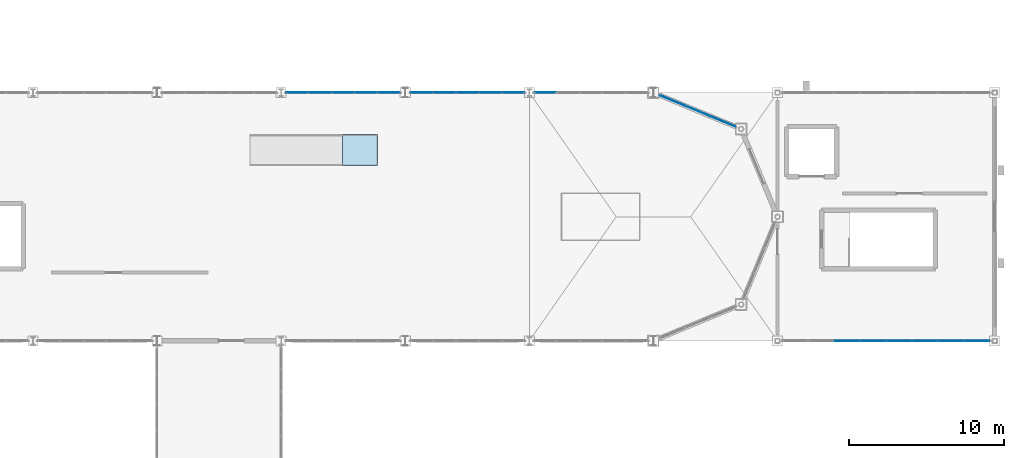
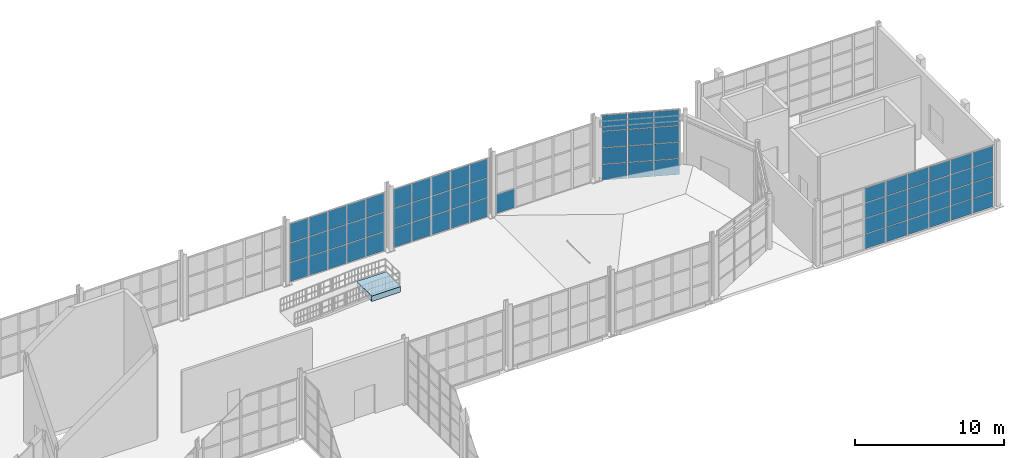
# One storey, part 62 of 82: 67 plates, 1 slab, 5 elements without a shape of their own.
"""IFC4 building model written with IfcOpenShell, lengths in metres."""

from ifc_helpers import new_model, si_unit, direction, frame, origin, origin_2d, place, context, subcontext, project, spatial, polyline, rectangle, outline, extrude, material, layer, layer_set, type_object, element, aggregate, save


model = new_model("IFC4")

# Units and contexts
model_context = context("Model", 3, precision=1e-05, world=origin(), true_north=direction((0.0, 1.0)))
body_context = subcontext(model_context, "Body", "Model", "MODEL_VIEW")
ifc_project = project(units=[si_unit("LENGTHUNIT", "METRE"), si_unit("AREAUNIT", "SQUARE_METRE"), si_unit("VOLUMEUNIT", "CUBIC_METRE"), si_unit("PLANEANGLEUNIT", "RADIAN"), si_unit("MASSUNIT", "GRAM", prefix="KILO")], contexts=[model_context])

# Site, building, storey
site_placement = place(None, origin())
site = spatial("IfcSite", under=ifc_project, at=site_placement, CompositionType="ELEMENT")
building_placement = place(site_placement, origin())
building = spatial("IfcBuilding", under=site, at=building_placement, Name="Serraluz Foothill Cableway Terminal", CompositionType="ELEMENT")
storey_placement = place(building_placement, frame((0.0, 0.0, 9.60009765625)))
storey = spatial("IfcBuildingStorey", under=building, at=storey_placement, Name="L02", CompositionType="ELEMENT", Elevation=9.60009765625)

# Curtain wall, plates
ifc_material_1 = material(Name="Architectural bronze alloy C28000", Category="aluminium")
curtain_wall_type_1 = type_object("IfcCurtainWallType", Name="TYP-CW-1120X420", PredefinedType="NOTDEFINED", material=ifc_material_1)
curtain_wall_1_placement = place(storey_placement, origin())
curtain_wall_1 = element("IfcCurtainWall", 1, at=curtain_wall_1_placement, inside=storey, type_object=curtain_wall_type_1, Name="Ribbed Glazed Curtain Wall CW-V1N-L02-128", PredefinedType="NOTDEFINED")
ifc_material_2 = material(Name="Translucent ribbed laminated channel glass", Category="glass")
ifc_layer_1 = layer(ifc_material_2, 0.028076171875, Name="Translucent ribbed laminated channel glass", Category="glass")
ifc_layer_set_1 = layer_set([ifc_layer_1], Name="Translucent ribbed laminated channel glass")
plate_type_1 = type_object("IfcPlateType", Name="TYP-CW-PNL-28", PredefinedType="CURTAIN_PANEL", material=ifc_layer_set_1)
plate_1_placement = place(storey_placement, frame((129.0380859375, 72.0, 0.06005859375), z_axis=(0.0, 0.0, 1.0), x_axis=(1.0, 0.0, 0.0)))
plate_1 = element("IfcPlate", 2, at=plate_1_placement, type_object=plate_type_1, Name="CW-21 panel 1.1", PredefinedType="CURTAIN_PANEL", context=body_context, shape_type="SweptSolid", body=[
    extrude(rectangle(XDim=1.393310546875, YDim=0.028076171875, at=origin_2d()), origin(), (0.0, 0.0, 1.0), 1.526611328125),
])
plate_2_placement = place(storey_placement, frame((129.0380859375, 72.0, 1.646484375), z_axis=(0.0, 0.0, 1.0), x_axis=(1.0, 0.0, 0.0)))
plate_2 = element("IfcPlate", 3, at=plate_2_placement, type_object=plate_type_1, Name="CW-21 panel 1.2", PredefinedType="CURTAIN_PANEL", context=body_context, shape_type="SweptSolid", body=[
    extrude(rectangle(XDim=1.393310546875, YDim=0.028076171875, at=origin_2d()), origin(), (0.0, 0.0, 1.0), 1.556640625),
])
plate_3_placement = place(storey_placement, frame((129.0380859375, 72.0, 3.26318359375), z_axis=(0.0, 0.0, 1.0), x_axis=(1.0, 0.0, 0.0)))
plate_3 = element("IfcPlate", 4, at=plate_3_placement, type_object=plate_type_1, Name="CW-21 panel 1.3", PredefinedType="CURTAIN_PANEL", context=body_context, shape_type="SweptSolid", body=[
    extrude(rectangle(XDim=1.393310546875, YDim=0.028076171875, at=origin_2d()), origin(), (0.0, 0.0, 1.0), 1.526611328125),
])
plate_4_placement = place(storey_placement, frame((130.50634765625, 72.0, 0.06005859375), z_axis=(0.0, 0.0, 1.0), x_axis=(1.0, 0.0, 0.0)))
plate_4 = element("IfcPlate", 5, at=plate_4_placement, type_object=plate_type_1, Name="CW-21 panel 2.1", PredefinedType="CURTAIN_PANEL", context=body_context, shape_type="SweptSolid", body=[
    extrude(rectangle(XDim=1.423095703125, YDim=0.028076171875, at=origin_2d()), origin(), (0.0, 0.0, 1.0), 1.526611328125),
])
plate_5_placement = place(storey_placement, frame((130.50634765625, 72.0, 1.646484375), z_axis=(0.0, 0.0, 1.0), x_axis=(1.0, 0.0, 0.0)))
plate_5 = element("IfcPlate", 6, at=plate_5_placement, type_object=plate_type_1, Name="CW-21 panel 2.2", PredefinedType="CURTAIN_PANEL", context=body_context, shape_type="SweptSolid", body=[
    extrude(rectangle(XDim=1.423095703125, YDim=0.028076171875, at=origin_2d()), origin(), (0.0, 0.0, 1.0), 1.556640625),
])
plate_6_placement = place(storey_placement, frame((130.50634765625, 72.0, 3.26318359375), z_axis=(0.0, 0.0, 1.0), x_axis=(1.0, 0.0, 0.0)))
plate_6 = element("IfcPlate", 7, at=plate_6_placement, type_object=plate_type_1, Name="CW-21 panel 2.3", PredefinedType="CURTAIN_PANEL", context=body_context, shape_type="SweptSolid", body=[
    extrude(rectangle(XDim=1.423095703125, YDim=0.028076171875, at=origin_2d()), origin(), (0.0, 0.0, 1.0), 1.526611328125),
])
plate_7_placement = place(storey_placement, frame((131.989501953125, 72.0, 0.06005859375), z_axis=(0.0, 0.0, 1.0), x_axis=(1.0, 0.0, 0.0)))
plate_7 = element("IfcPlate", 8, at=plate_7_placement, type_object=plate_type_1, Name="CW-21 panel 3.1", PredefinedType="CURTAIN_PANEL", context=body_context, shape_type="SweptSolid", body=[
    extrude(rectangle(XDim=1.423095703125, YDim=0.028076171875, at=origin_2d()), origin(), (0.0, 0.0, 1.0), 1.526611328125),
])
plate_8_placement = place(storey_placement, frame((131.989501953125, 72.0, 1.646484375), z_axis=(0.0, 0.0, 1.0), x_axis=(1.0, 0.0, 0.0)))
plate_8 = element("IfcPlate", 9, at=plate_8_placement, type_object=plate_type_1, Name="CW-21 panel 3.2", PredefinedType="CURTAIN_PANEL", context=body_context, shape_type="SweptSolid", body=[
    extrude(rectangle(XDim=1.423095703125, YDim=0.028076171875, at=origin_2d()), origin(), (0.0, 0.0, 1.0), 1.556640625),
])
plate_9_placement = place(storey_placement, frame((131.989501953125, 72.0, 3.26318359375), z_axis=(0.0, 0.0, 1.0), x_axis=(1.0, 0.0, 0.0)))
plate_9 = element("IfcPlate", 10, at=plate_9_placement, type_object=plate_type_1, Name="CW-21 panel 3.3", PredefinedType="CURTAIN_PANEL", context=body_context, shape_type="SweptSolid", body=[
    extrude(rectangle(XDim=1.423095703125, YDim=0.028076171875, at=origin_2d()), origin(), (0.0, 0.0, 1.0), 1.526611328125),
])
plate_10_placement = place(storey_placement, frame((133.47265625, 72.0, 0.06005859375), z_axis=(0.0, 0.0, 1.0), x_axis=(1.0, 0.0, 0.0)))
plate_10 = element("IfcPlate", 11, at=plate_10_placement, type_object=plate_type_1, Name="CW-21 panel 4.1", PredefinedType="CURTAIN_PANEL", context=body_context, shape_type="SweptSolid", body=[
    extrude(rectangle(XDim=1.423095703125, YDim=0.028076171875, at=origin_2d()), origin(), (0.0, 0.0, 1.0), 1.526611328125),
])
plate_11_placement = place(storey_placement, frame((133.47265625, 72.0, 1.646484375), z_axis=(0.0, 0.0, 1.0), x_axis=(1.0, 0.0, 0.0)))
plate_11 = element("IfcPlate", 12, at=plate_11_placement, type_object=plate_type_1, Name="CW-21 panel 4.2", PredefinedType="CURTAIN_PANEL", context=body_context, shape_type="SweptSolid", body=[
    extrude(rectangle(XDim=1.423095703125, YDim=0.028076171875, at=origin_2d()), origin(), (0.0, 0.0, 1.0), 1.556640625),
])
plate_12_placement = place(storey_placement, frame((133.47265625, 72.0, 3.26318359375), z_axis=(0.0, 0.0, 1.0), x_axis=(1.0, 0.0, 0.0)))
plate_12 = element("IfcPlate", 13, at=plate_12_placement, type_object=plate_type_1, Name="CW-21 panel 4.3", PredefinedType="CURTAIN_PANEL", context=body_context, shape_type="SweptSolid", body=[
    extrude(rectangle(XDim=1.423095703125, YDim=0.028076171875, at=origin_2d()), origin(), (0.0, 0.0, 1.0), 1.526611328125),
])
plate_13_placement = place(storey_placement, frame((134.94091796875, 72.0, 0.06005859375), z_axis=(0.0, 0.0, 1.0), x_axis=(1.0, 0.0, 0.0)))
plate_13 = element("IfcPlate", 14, at=plate_13_placement, type_object=plate_type_1, Name="CW-21 panel 5.1", PredefinedType="CURTAIN_PANEL", context=body_context, shape_type="SweptSolid", body=[
    extrude(rectangle(XDim=1.393310546875, YDim=0.028076171875, at=origin_2d()), origin(), (0.0, 0.0, 1.0), 1.526611328125),
])
plate_14_placement = place(storey_placement, frame((134.94091796875, 72.0, 1.646484375), z_axis=(0.0, 0.0, 1.0), x_axis=(1.0, 0.0, 0.0)))
plate_14 = element("IfcPlate", 15, at=plate_14_placement, type_object=plate_type_1, Name="CW-21 panel 5.2", PredefinedType="CURTAIN_PANEL", context=body_context, shape_type="SweptSolid", body=[
    extrude(rectangle(XDim=1.393310546875, YDim=0.028076171875, at=origin_2d()), origin(), (0.0, 0.0, 1.0), 1.556640625),
])
plate_15_placement = place(storey_placement, frame((134.94091796875, 72.0, 3.26318359375), z_axis=(0.0, 0.0, 1.0), x_axis=(1.0, 0.0, 0.0)))
plate_15 = element("IfcPlate", 16, at=plate_15_placement, type_object=plate_type_1, Name="CW-21 panel 5.3", PredefinedType="CURTAIN_PANEL", context=body_context, shape_type="SweptSolid", body=[
    extrude(rectangle(XDim=1.393310546875, YDim=0.028076171875, at=origin_2d()), origin(), (0.0, 0.0, 1.0), 1.526611328125),
])
aggregate(curtain_wall_1, [plate_1, plate_2, plate_3, plate_4, plate_5, plate_6, plate_7, plate_8, plate_9, plate_10, plate_11, plate_12, plate_13, plate_14, plate_15])

curtain_wall_type_2 = type_object("IfcCurtainWallType", Name="TYP-CW-1280X440", PredefinedType="NOTDEFINED", material=ifc_material_1)
curtain_wall_2_placement = place(storey_placement, origin())
curtain_wall_2 = element("IfcCurtainWall", 17, at=curtain_wall_2_placement, inside=storey, type_object=curtain_wall_type_2, Name="Ribbed Glazed Curtain Wall CW-V1N-L02-136", PredefinedType="NOTDEFINED")
plate_16_placement = place(storey_placement, frame((137.05908203125, 72.0, 0.06005859375), z_axis=(0.0, 0.0, 1.0), x_axis=(1.0, 0.0, 0.0)))
plate_16 = element("IfcPlate", 18, at=plate_16_placement, type_object=plate_type_1, Name="CW-22 panel 1.1", PredefinedType="CURTAIN_PANEL", context=body_context, shape_type="SweptSolid", body=[
    extrude(rectangle(XDim=1.393310546875, YDim=0.028076171875, at=origin_2d()), origin(), (0.0, 0.0, 1.0), 1.526611328125),
])
plate_17_placement = place(storey_placement, frame((137.05908203125, 72.0, 1.646484375), z_axis=(0.0, 0.0, 1.0), x_axis=(1.0, 0.0, 0.0)))
plate_17 = element("IfcPlate", 19, at=plate_17_placement, type_object=plate_type_1, Name="CW-22 panel 1.2", PredefinedType="CURTAIN_PANEL", context=body_context, shape_type="SweptSolid", body=[
    extrude(rectangle(XDim=1.393310546875, YDim=0.028076171875, at=origin_2d()), origin(), (0.0, 0.0, 1.0), 1.556640625),
])
plate_18_placement = place(storey_placement, frame((137.05908203125, 72.0, 3.26318359375), z_axis=(0.0, 0.0, 1.0), x_axis=(1.0, 0.0, 0.0)))
plate_18 = element("IfcPlate", 20, at=plate_18_placement, type_object=plate_type_1, Name="CW-22 panel 1.3", PredefinedType="CURTAIN_PANEL", context=body_context, shape_type="SweptSolid", body=[
    extrude(rectangle(XDim=1.393310546875, YDim=0.028076171875, at=origin_2d()), origin(), (0.0, 0.0, 1.0), 1.526611328125),
])
plate_19_placement = place(storey_placement, frame((138.52734375, 72.0, 0.06005859375), z_axis=(0.0, 0.0, 1.0), x_axis=(1.0, 0.0, 0.0)))
plate_19 = element("IfcPlate", 21, at=plate_19_placement, type_object=plate_type_1, Name="CW-22 panel 2.1", PredefinedType="CURTAIN_PANEL", context=body_context, shape_type="SweptSolid", body=[
    extrude(rectangle(XDim=1.423095703125, YDim=0.028076171875, at=origin_2d()), origin(), (0.0, 0.0, 1.0), 1.526611328125),
])
plate_20_placement = place(storey_placement, frame((138.52734375, 72.0, 1.646484375), z_axis=(0.0, 0.0, 1.0), x_axis=(1.0, 0.0, 0.0)))
plate_20 = element("IfcPlate", 22, at=plate_20_placement, type_object=plate_type_1, Name="CW-22 panel 2.2", PredefinedType="CURTAIN_PANEL", context=body_context, shape_type="SweptSolid", body=[
    extrude(rectangle(XDim=1.423095703125, YDim=0.028076171875, at=origin_2d()), origin(), (0.0, 0.0, 1.0), 1.556640625),
])
plate_21_placement = place(storey_placement, frame((138.52734375, 72.0, 3.26318359375), z_axis=(0.0, 0.0, 1.0), x_axis=(1.0, 0.0, 0.0)))
plate_21 = element("IfcPlate", 23, at=plate_21_placement, type_object=plate_type_1, Name="CW-22 panel 2.3", PredefinedType="CURTAIN_PANEL", context=body_context, shape_type="SweptSolid", body=[
    extrude(rectangle(XDim=1.423095703125, YDim=0.028076171875, at=origin_2d()), origin(), (0.0, 0.0, 1.0), 1.526611328125),
])
plate_22_placement = place(storey_placement, frame((140.010498046875, 72.0, 0.06005859375), z_axis=(0.0, 0.0, 1.0), x_axis=(1.0, 0.0, 0.0)))
plate_22 = element("IfcPlate", 24, at=plate_22_placement, type_object=plate_type_1, Name="CW-22 panel 3.1", PredefinedType="CURTAIN_PANEL", context=body_context, shape_type="SweptSolid", body=[
    extrude(rectangle(XDim=1.423095703125, YDim=0.028076171875, at=origin_2d()), origin(), (0.0, 0.0, 1.0), 1.526611328125),
])
plate_23_placement = place(storey_placement, frame((140.010498046875, 72.0, 1.646484375), z_axis=(0.0, 0.0, 1.0), x_axis=(1.0, 0.0, 0.0)))
plate_23 = element("IfcPlate", 25, at=plate_23_placement, type_object=plate_type_1, Name="CW-22 panel 3.2", PredefinedType="CURTAIN_PANEL", context=body_context, shape_type="SweptSolid", body=[
    extrude(rectangle(XDim=1.423095703125, YDim=0.028076171875, at=origin_2d()), origin(), (0.0, 0.0, 1.0), 1.556640625),
])
plate_24_placement = place(storey_placement, frame((140.010498046875, 72.0, 3.26318359375), z_axis=(0.0, 0.0, 1.0), x_axis=(1.0, 0.0, 0.0)))
plate_24 = element("IfcPlate", 26, at=plate_24_placement, type_object=plate_type_1, Name="CW-22 panel 3.3", PredefinedType="CURTAIN_PANEL", context=body_context, shape_type="SweptSolid", body=[
    extrude(rectangle(XDim=1.423095703125, YDim=0.028076171875, at=origin_2d()), origin(), (0.0, 0.0, 1.0), 1.526611328125),
])
plate_25_placement = place(storey_placement, frame((141.49365234375, 72.0, 0.06005859375), z_axis=(0.0, 0.0, 1.0), x_axis=(1.0, 0.0, 0.0)))
plate_25 = element("IfcPlate", 27, at=plate_25_placement, type_object=plate_type_1, Name="CW-22 panel 4.1", PredefinedType="CURTAIN_PANEL", context=body_context, shape_type="SweptSolid", body=[
    extrude(rectangle(XDim=1.423095703125, YDim=0.028076171875, at=origin_2d()), origin(), (0.0, 0.0, 1.0), 1.526611328125),
])
plate_26_placement = place(storey_placement, frame((141.49365234375, 72.0, 1.646484375), z_axis=(0.0, 0.0, 1.0), x_axis=(1.0, 0.0, 0.0)))
plate_26 = element("IfcPlate", 28, at=plate_26_placement, type_object=plate_type_1, Name="CW-22 panel 4.2", PredefinedType="CURTAIN_PANEL", context=body_context, shape_type="SweptSolid", body=[
    extrude(rectangle(XDim=1.423095703125, YDim=0.028076171875, at=origin_2d()), origin(), (0.0, 0.0, 1.0), 1.556640625),
])
plate_27_placement = place(storey_placement, frame((141.49365234375, 72.0, 3.26318359375), z_axis=(0.0, 0.0, 1.0), x_axis=(1.0, 0.0, 0.0)))
plate_27 = element("IfcPlate", 29, at=plate_27_placement, type_object=plate_type_1, Name="CW-22 panel 4.3", PredefinedType="CURTAIN_PANEL", context=body_context, shape_type="SweptSolid", body=[
    extrude(rectangle(XDim=1.423095703125, YDim=0.028076171875, at=origin_2d()), origin(), (0.0, 0.0, 1.0), 1.526611328125),
])
plate_28_placement = place(storey_placement, frame((142.9619140625, 72.0, 0.06005859375), z_axis=(0.0, 0.0, 1.0), x_axis=(1.0, 0.0, 0.0)))
plate_28 = element("IfcPlate", 30, at=plate_28_placement, type_object=plate_type_1, Name="CW-22 panel 5.1", PredefinedType="CURTAIN_PANEL", context=body_context, shape_type="SweptSolid", body=[
    extrude(rectangle(XDim=1.393310546875, YDim=0.028076171875, at=origin_2d()), origin(), (0.0, 0.0, 1.0), 1.526611328125),
])
plate_29_placement = place(storey_placement, frame((142.9619140625, 72.0, 1.646484375), z_axis=(0.0, 0.0, 1.0), x_axis=(1.0, 0.0, 0.0)))
plate_29 = element("IfcPlate", 31, at=plate_29_placement, type_object=plate_type_1, Name="CW-22 panel 5.2", PredefinedType="CURTAIN_PANEL", context=body_context, shape_type="SweptSolid", body=[
    extrude(rectangle(XDim=1.393310546875, YDim=0.028076171875, at=origin_2d()), origin(), (0.0, 0.0, 1.0), 1.556640625),
])
plate_30_placement = place(storey_placement, frame((142.9619140625, 72.0, 3.26318359375), z_axis=(0.0, 0.0, 1.0), x_axis=(1.0, 0.0, 0.0)))
plate_30 = element("IfcPlate", 32, at=plate_30_placement, type_object=plate_type_1, Name="CW-22 panel 5.3", PredefinedType="CURTAIN_PANEL", context=body_context, shape_type="SweptSolid", body=[
    extrude(rectangle(XDim=1.393310546875, YDim=0.028076171875, at=origin_2d()), origin(), (0.0, 0.0, 1.0), 1.526611328125),
])
aggregate(curtain_wall_2, [plate_16, plate_17, plate_18, plate_19, plate_20, plate_21, plate_22, plate_23, plate_24, plate_25, plate_26, plate_27, plate_28, plate_29, plate_30])

# Curtain wall, plate
curtain_wall_type_3 = type_object("IfcCurtainWallType", Name="TYP-CW-1480X420", PredefinedType="NOTDEFINED", material=ifc_material_1)
curtain_wall_3_placement = place(storey_placement, origin())
curtain_wall_3 = element("IfcCurtainWall", 33, at=curtain_wall_3_placement, inside=storey, type_object=curtain_wall_type_3, Name="Ribbed Glazed Curtain Wall CW-V1N-L02-144", PredefinedType="NOTDEFINED")
plate_31_placement = place(storey_placement, frame((145.0380859375, 72.0, 0.06005859375), z_axis=(0.0, 0.0, 1.0), x_axis=(1.0, 0.0, 0.0)))
plate_31 = element("IfcPlate", 34, at=plate_31_placement, type_object=plate_type_1, Name="CW-23 panel 1.1", PredefinedType="CURTAIN_PANEL", context=body_context, shape_type="SweptSolid", body=[
    extrude(rectangle(XDim=1.393310546875, YDim=0.028076171875, at=origin_2d()), origin(), (0.0, 0.0, 1.0), 1.526611328125),
])
aggregate(curtain_wall_3, [plate_31])

# Curtain wall, plates
curtain_wall_type_4 = type_object("IfcCurtainWallType", Name="TYP-CW-480X380", PredefinedType="NOTDEFINED", material=ifc_material_1)
curtain_wall_4_placement = place(storey_placement, origin())
curtain_wall_4 = element("IfcCurtainWall", 35, at=curtain_wall_4_placement, inside=storey, type_object=curtain_wall_type_4, Name="Ribbed Glazed Curtain Wall CW-V1-E-L02-1", PredefinedType="NOTDEFINED")
ifc_material_3 = material(Name="Laminated low-E safety glass", Category="glass")
ifc_layer_2 = layer(ifc_material_3, 0.031982421875, Name="Laminated low-E safety glass", Category="glass")
ifc_layer_set_2 = layer_set([ifc_layer_2], Name="Laminated low-E safety glass")
plate_type_2 = type_object("IfcPlateType", Name="TYP-CW-PNL-32", PredefinedType="CURTAIN_PANEL", material=ifc_layer_set_2)
plate_32_placement = place(storey_placement, frame((153.215576171875, 71.49658203125, 0.054931640625), z_axis=(0.0, 0.0, 1.0), x_axis=(0.923880260537, -0.382681674752, 0.0)))
plate_32 = element("IfcPlate", 36, at=plate_32_placement, type_object=plate_type_2, Name="CW-14 panel 1.1", PredefinedType="CURTAIN_PANEL", context=body_context, shape_type="SweptSolid", body=[
    extrude(rectangle(XDim=1.705322265625, YDim=0.031982421875, at=origin_2d()), origin(), (0.0, 0.0, 1.0), 1.2724609375),
])
plate_33_placement = place(storey_placement, frame((153.215576171875, 71.49658203125, 1.38232421875), z_axis=(0.0, 0.0, 1.0), x_axis=(0.923880260537, -0.382681674752, 0.0)))
plate_33 = element("IfcPlate", 37, at=plate_33_placement, type_object=plate_type_2, Name="CW-14 panel 1.2", PredefinedType="CURTAIN_PANEL", context=body_context, shape_type="SweptSolid", body=[
    extrude(rectangle(XDim=1.705322265625, YDim=0.031982421875, at=origin_2d()), origin(), (0.0, 0.0, 1.0), 1.300048828125),
])
plate_34_placement = place(storey_placement, frame((153.215576171875, 71.49658203125, 2.7373046875), z_axis=(0.0, 0.0, 1.0), x_axis=(0.923880260537, -0.382681674752, 0.0)))
plate_34 = element("IfcPlate", 38, at=plate_34_placement, type_object=plate_type_2, Name="CW-14 panel 1.3", PredefinedType="CURTAIN_PANEL", context=body_context, shape_type="SweptSolid", body=[
    extrude(rectangle(XDim=1.705322265625, YDim=0.031982421875, at=origin_2d()), origin(), (0.0, 0.0, 1.0), 1.300048828125),
])
plate_35_placement = place(storey_placement, frame((153.215576171875, 71.49658203125, 4.092529296875), z_axis=(0.0, 0.0, 1.0), x_axis=(0.923880260537, -0.382681674752, 0.0)))
plate_35 = element("IfcPlate", 39, at=plate_35_placement, type_object=plate_type_2, Name="CW-14 panel 1.4", PredefinedType="CURTAIN_PANEL", context=body_context, shape_type="SweptSolid", body=[
    extrude(rectangle(XDim=1.705322265625, YDim=0.031982421875, at=origin_2d()), origin(), (0.0, 0.0, 1.0), 1.2724609375),
])
plate_36_placement = place(storey_placement, frame((154.8544921875, 70.817626953125, 0.054931640625), z_axis=(0.0, 0.0, 1.0), x_axis=(0.923880260537, -0.382681674752, 0.0)))
plate_36 = element("IfcPlate", 40, at=plate_36_placement, type_object=plate_type_2, Name="CW-14 panel 2.1", PredefinedType="CURTAIN_PANEL", context=body_context, shape_type="SweptSolid", body=[
    extrude(rectangle(XDim=1.73291015625, YDim=0.031982421875, at=origin_2d()), origin(), (0.0, 0.0, 1.0), 1.2724609375),
])
plate_37_placement = place(storey_placement, frame((154.8544921875, 70.817626953125, 1.38232421875), z_axis=(0.0, 0.0, 1.0), x_axis=(0.923880260537, -0.382681674752, 0.0)))
plate_37 = element("IfcPlate", 41, at=plate_37_placement, type_object=plate_type_2, Name="CW-14 panel 2.2", PredefinedType="CURTAIN_PANEL", context=body_context, shape_type="SweptSolid", body=[
    extrude(rectangle(XDim=1.73291015625, YDim=0.031982421875, at=origin_2d()), origin(), (0.0, 0.0, 1.0), 1.300048828125),
])
plate_38_placement = place(storey_placement, frame((154.8544921875, 70.817626953125, 2.7373046875), z_axis=(0.0, 0.0, 1.0), x_axis=(0.923880260537, -0.382681674752, 0.0)))
plate_38 = element("IfcPlate", 42, at=plate_38_placement, type_object=plate_type_2, Name="CW-14 panel 2.3", PredefinedType="CURTAIN_PANEL", context=body_context, shape_type="SweptSolid", body=[
    extrude(rectangle(XDim=1.73291015625, YDim=0.031982421875, at=origin_2d()), origin(), (0.0, 0.0, 1.0), 1.300048828125),
])
plate_39_placement = place(storey_placement, frame((154.8544921875, 70.817626953125, 4.092529296875), z_axis=(0.0, 0.0, 1.0), x_axis=(0.923880260537, -0.382681674752, 0.0)))
plate_39 = element("IfcPlate", 43, at=plate_39_placement, type_object=plate_type_2, Name="CW-14 panel 2.4", PredefinedType="CURTAIN_PANEL", context=body_context, shape_type="SweptSolid", body=[
    extrude(rectangle(XDim=1.73291015625, YDim=0.031982421875, at=origin_2d()), origin(), (0.0, 0.0, 1.0), 1.2724609375),
])
plate_40_placement = place(storey_placement, frame((156.493408203125, 70.138671875, 0.054931640625), z_axis=(0.0, 0.0, 1.0), x_axis=(0.923880260537, -0.382681674752, 0.0)))
plate_40 = element("IfcPlate", 44, at=plate_40_placement, type_object=plate_type_2, Name="CW-14 panel 3.1", PredefinedType="CURTAIN_PANEL", context=body_context, shape_type="SweptSolid", body=[
    extrude(rectangle(XDim=1.705322265625, YDim=0.031982421875, at=origin_2d()), origin(), (0.0, 0.0, 1.0), 1.2724609375),
])
plate_41_placement = place(storey_placement, frame((156.493408203125, 70.138671875, 1.38232421875), z_axis=(0.0, 0.0, 1.0), x_axis=(0.923880260537, -0.382681674752, 0.0)))
plate_41 = element("IfcPlate", 45, at=plate_41_placement, type_object=plate_type_2, Name="CW-14 panel 3.2", PredefinedType="CURTAIN_PANEL", context=body_context, shape_type="SweptSolid", body=[
    extrude(rectangle(XDim=1.705322265625, YDim=0.031982421875, at=origin_2d()), origin(), (0.0, 0.0, 1.0), 1.300048828125),
])
plate_42_placement = place(storey_placement, frame((156.493408203125, 70.138671875, 2.7373046875), z_axis=(0.0, 0.0, 1.0), x_axis=(0.923880260537, -0.382681674752, 0.0)))
plate_42 = element("IfcPlate", 46, at=plate_42_placement, type_object=plate_type_2, Name="CW-14 panel 3.3", PredefinedType="CURTAIN_PANEL", context=body_context, shape_type="SweptSolid", body=[
    extrude(rectangle(XDim=1.705322265625, YDim=0.031982421875, at=origin_2d()), origin(), (0.0, 0.0, 1.0), 1.300048828125),
])
plate_43_placement = place(storey_placement, frame((156.493408203125, 70.138671875, 4.092529296875), z_axis=(0.0, 0.0, 1.0), x_axis=(0.923880260537, -0.382681674752, 0.0)))
plate_43 = element("IfcPlate", 47, at=plate_43_placement, type_object=plate_type_2, Name="CW-14 panel 3.4", PredefinedType="CURTAIN_PANEL", context=body_context, shape_type="SweptSolid", body=[
    extrude(rectangle(XDim=1.705322265625, YDim=0.031982421875, at=origin_2d()), origin(), (0.0, 0.0, 1.0), 1.2724609375),
])
aggregate(curtain_wall_4, [plate_32, plate_33, plate_34, plate_35, plate_36, plate_37, plate_38, plate_39, plate_40, plate_41, plate_42, plate_43])

curtain_wall_5_placement = place(storey_placement, origin())
curtain_wall_5 = element("IfcCurtainWall", 48, at=curtain_wall_5_placement, inside=storey, type_object=curtain_wall_type_2, Name="Ribbed Glazed Curtain Wall CW-V2S-L02", PredefinedType="NOTDEFINED")
ifc_layer_3 = layer(ifc_material_3, 0.035888671875, Name="Laminated low-E safety glass", Category="glass")
ifc_layer_set_3 = layer_set([ifc_layer_3], Name="Laminated low-E safety glass")
plate_type_3 = type_object("IfcPlateType", Name="TYP-CW-PNL-36", PredefinedType="CURTAIN_PANEL", material=ifc_layer_set_3)
plate_44_placement = place(storey_placement, frame((172.856201171875, 56.0, 0.059814453125), z_axis=(0.0, 0.0, 1.0), x_axis=(-1.0, 0.0, 0.0)))
plate_44 = element("IfcPlate", 49, at=plate_44_placement, type_object=plate_type_3, Name="CW-22 panel 1.1", PredefinedType="CURTAIN_PANEL", context=body_context, shape_type="SweptSolid", body=[
    extrude(rectangle(XDim=1.58740234375, YDim=0.035888671875, at=origin_2d()), origin(), (0.0, 0.0, 1.0), 1.18505859375),
])
plate_45_placement = place(storey_placement, frame((172.856201171875, 56.0, 1.3046875), z_axis=(0.0, 0.0, 1.0), x_axis=(-1.0, 0.0, 0.0)))
plate_45 = element("IfcPlate", 50, at=plate_45_placement, type_object=plate_type_3, Name="CW-22 panel 1.2", PredefinedType="CURTAIN_PANEL", context=body_context, shape_type="SweptSolid", body=[
    extrude(rectangle(XDim=1.58740234375, YDim=0.035888671875, at=origin_2d()), origin(), (0.0, 0.0, 1.0), 1.215087890625),
])
plate_46_placement = place(storey_placement, frame((172.856201171875, 56.0, 2.580078125), z_axis=(0.0, 0.0, 1.0), x_axis=(-1.0, 0.0, 0.0)))
plate_46 = element("IfcPlate", 51, at=plate_46_placement, type_object=plate_type_3, Name="CW-22 panel 1.3", PredefinedType="CURTAIN_PANEL", context=body_context, shape_type="SweptSolid", body=[
    extrude(rectangle(XDim=1.58740234375, YDim=0.035888671875, at=origin_2d()), origin(), (0.0, 0.0, 1.0), 1.215087890625),
])
plate_47_placement = place(storey_placement, frame((172.856201171875, 56.0, 3.85498046875), z_axis=(0.0, 0.0, 1.0), x_axis=(-1.0, 0.0, 0.0)))
plate_47 = element("IfcPlate", 52, at=plate_47_placement, type_object=plate_type_3, Name="CW-22 panel 1.4", PredefinedType="CURTAIN_PANEL", context=body_context, shape_type="SweptSolid", body=[
    extrude(rectangle(XDim=1.58740234375, YDim=0.035888671875, at=origin_2d()), origin(), (0.0, 0.0, 1.0), 1.18505859375),
])
plate_48_placement = place(storey_placement, frame((171.19384765625, 56.0, 0.059814453125), z_axis=(0.0, 0.0, 1.0), x_axis=(-1.0, 0.0, 0.0)))
plate_48 = element("IfcPlate", 53, at=plate_48_placement, type_object=plate_type_3, Name="CW-22 panel 2.1", PredefinedType="CURTAIN_PANEL", context=body_context, shape_type="SweptSolid", body=[
    extrude(rectangle(XDim=1.617431640625, YDim=0.035888671875, at=origin_2d()), origin(), (0.0, 0.0, 1.0), 1.18505859375),
])
plate_49_placement = place(storey_placement, frame((171.19384765625, 56.0, 1.3046875), z_axis=(0.0, 0.0, 1.0), x_axis=(-1.0, 0.0, 0.0)))
plate_49 = element("IfcPlate", 54, at=plate_49_placement, type_object=plate_type_3, Name="CW-22 panel 2.2", PredefinedType="CURTAIN_PANEL", context=body_context, shape_type="SweptSolid", body=[
    extrude(rectangle(XDim=1.617431640625, YDim=0.035888671875, at=origin_2d()), origin(), (0.0, 0.0, 1.0), 1.215087890625),
])
plate_50_placement = place(storey_placement, frame((171.19384765625, 56.0, 2.580078125), z_axis=(0.0, 0.0, 1.0), x_axis=(-1.0, 0.0, 0.0)))
plate_50 = element("IfcPlate", 55, at=plate_50_placement, type_object=plate_type_3, Name="CW-22 panel 2.3", PredefinedType="CURTAIN_PANEL", context=body_context, shape_type="SweptSolid", body=[
    extrude(rectangle(XDim=1.617431640625, YDim=0.035888671875, at=origin_2d()), origin(), (0.0, 0.0, 1.0), 1.215087890625),
])
plate_51_placement = place(storey_placement, frame((171.19384765625, 56.0, 3.85498046875), z_axis=(0.0, 0.0, 1.0), x_axis=(-1.0, 0.0, 0.0)))
plate_51 = element("IfcPlate", 56, at=plate_51_placement, type_object=plate_type_3, Name="CW-22 panel 2.4", PredefinedType="CURTAIN_PANEL", context=body_context, shape_type="SweptSolid", body=[
    extrude(rectangle(XDim=1.617431640625, YDim=0.035888671875, at=origin_2d()), origin(), (0.0, 0.0, 1.0), 1.18505859375),
])
plate_52_placement = place(storey_placement, frame((169.516357421875, 56.0, 0.059814453125), z_axis=(0.0, 0.0, 1.0), x_axis=(-1.0, 0.0, 0.0)))
plate_52 = element("IfcPlate", 57, at=plate_52_placement, type_object=plate_type_3, Name="CW-22 panel 3.1", PredefinedType="CURTAIN_PANEL", context=body_context, shape_type="SweptSolid", body=[
    extrude(rectangle(XDim=1.617431640625, YDim=0.035888671875, at=origin_2d()), origin(), (0.0, 0.0, 1.0), 1.18505859375),
])
plate_53_placement = place(storey_placement, frame((169.516357421875, 56.0, 1.3046875), z_axis=(0.0, 0.0, 1.0), x_axis=(-1.0, 0.0, 0.0)))
plate_53 = element("IfcPlate", 58, at=plate_53_placement, type_object=plate_type_3, Name="CW-22 panel 3.2", PredefinedType="CURTAIN_PANEL", context=body_context, shape_type="SweptSolid", body=[
    extrude(rectangle(XDim=1.617431640625, YDim=0.035888671875, at=origin_2d()), origin(), (0.0, 0.0, 1.0), 1.215087890625),
])
plate_54_placement = place(storey_placement, frame((169.516357421875, 56.0, 2.580078125), z_axis=(0.0, 0.0, 1.0), x_axis=(-1.0, 0.0, 0.0)))
plate_54 = element("IfcPlate", 59, at=plate_54_placement, type_object=plate_type_3, Name="CW-22 panel 3.3", PredefinedType="CURTAIN_PANEL", context=body_context, shape_type="SweptSolid", body=[
    extrude(rectangle(XDim=1.617431640625, YDim=0.035888671875, at=origin_2d()), origin(), (0.0, 0.0, 1.0), 1.215087890625),
])
plate_55_placement = place(storey_placement, frame((169.516357421875, 56.0, 3.85498046875), z_axis=(0.0, 0.0, 1.0), x_axis=(-1.0, 0.0, 0.0)))
plate_55 = element("IfcPlate", 60, at=plate_55_placement, type_object=plate_type_3, Name="CW-22 panel 3.4", PredefinedType="CURTAIN_PANEL", context=body_context, shape_type="SweptSolid", body=[
    extrude(rectangle(XDim=1.617431640625, YDim=0.035888671875, at=origin_2d()), origin(), (0.0, 0.0, 1.0), 1.18505859375),
])
plate_56_placement = place(storey_placement, frame((167.8388671875, 56.0, 0.059814453125), z_axis=(0.0, 0.0, 1.0), x_axis=(-1.0, 0.0, 0.0)))
plate_56 = element("IfcPlate", 61, at=plate_56_placement, type_object=plate_type_3, Name="CW-22 panel 4.1", PredefinedType="CURTAIN_PANEL", context=body_context, shape_type="SweptSolid", body=[
    extrude(rectangle(XDim=1.617431640625, YDim=0.035888671875, at=origin_2d()), origin(), (0.0, 0.0, 1.0), 1.18505859375),
])
plate_57_placement = place(storey_placement, frame((167.8388671875, 56.0, 1.3046875), z_axis=(0.0, 0.0, 1.0), x_axis=(-1.0, 0.0, 0.0)))
plate_57 = element("IfcPlate", 62, at=plate_57_placement, type_object=plate_type_3, Name="CW-22 panel 4.2", PredefinedType="CURTAIN_PANEL", context=body_context, shape_type="SweptSolid", body=[
    extrude(rectangle(XDim=1.617431640625, YDim=0.035888671875, at=origin_2d()), origin(), (0.0, 0.0, 1.0), 1.215087890625),
])
plate_58_placement = place(storey_placement, frame((167.8388671875, 56.0, 2.580078125), z_axis=(0.0, 0.0, 1.0), x_axis=(-1.0, 0.0, 0.0)))
plate_58 = element("IfcPlate", 63, at=plate_58_placement, type_object=plate_type_3, Name="CW-22 panel 4.3", PredefinedType="CURTAIN_PANEL", context=body_context, shape_type="SweptSolid", body=[
    extrude(rectangle(XDim=1.617431640625, YDim=0.035888671875, at=origin_2d()), origin(), (0.0, 0.0, 1.0), 1.215087890625),
])
plate_59_placement = place(storey_placement, frame((167.8388671875, 56.0, 3.85498046875), z_axis=(0.0, 0.0, 1.0), x_axis=(-1.0, 0.0, 0.0)))
plate_59 = element("IfcPlate", 64, at=plate_59_placement, type_object=plate_type_3, Name="CW-22 panel 4.4", PredefinedType="CURTAIN_PANEL", context=body_context, shape_type="SweptSolid", body=[
    extrude(rectangle(XDim=1.617431640625, YDim=0.035888671875, at=origin_2d()), origin(), (0.0, 0.0, 1.0), 1.18505859375),
])
plate_60_placement = place(storey_placement, frame((166.1611328125, 56.0, 0.059814453125), z_axis=(0.0, 0.0, 1.0), x_axis=(-1.0, 0.0, 0.0)))
plate_60 = element("IfcPlate", 65, at=plate_60_placement, type_object=plate_type_3, Name="CW-22 panel 5.1", PredefinedType="CURTAIN_PANEL", context=body_context, shape_type="SweptSolid", body=[
    extrude(rectangle(XDim=1.617431640625, YDim=0.035888671875, at=origin_2d()), origin(), (0.0, 0.0, 1.0), 1.18505859375),
])
plate_61_placement = place(storey_placement, frame((166.1611328125, 56.0, 1.3046875), z_axis=(0.0, 0.0, 1.0), x_axis=(-1.0, 0.0, 0.0)))
plate_61 = element("IfcPlate", 66, at=plate_61_placement, type_object=plate_type_3, Name="CW-22 panel 5.2", PredefinedType="CURTAIN_PANEL", context=body_context, shape_type="SweptSolid", body=[
    extrude(rectangle(XDim=1.617431640625, YDim=0.035888671875, at=origin_2d()), origin(), (0.0, 0.0, 1.0), 1.215087890625),
])
plate_62_placement = place(storey_placement, frame((166.1611328125, 56.0, 2.580078125), z_axis=(0.0, 0.0, 1.0), x_axis=(-1.0, 0.0, 0.0)))
plate_62 = element("IfcPlate", 67, at=plate_62_placement, type_object=plate_type_3, Name="CW-22 panel 5.3", PredefinedType="CURTAIN_PANEL", context=body_context, shape_type="SweptSolid", body=[
    extrude(rectangle(XDim=1.617431640625, YDim=0.035888671875, at=origin_2d()), origin(), (0.0, 0.0, 1.0), 1.215087890625),
])
plate_63_placement = place(storey_placement, frame((166.1611328125, 56.0, 3.85498046875), z_axis=(0.0, 0.0, 1.0), x_axis=(-1.0, 0.0, 0.0)))
plate_63 = element("IfcPlate", 68, at=plate_63_placement, type_object=plate_type_3, Name="CW-22 panel 5.4", PredefinedType="CURTAIN_PANEL", context=body_context, shape_type="SweptSolid", body=[
    extrude(rectangle(XDim=1.617431640625, YDim=0.035888671875, at=origin_2d()), origin(), (0.0, 0.0, 1.0), 1.18505859375),
])
plate_64_placement = place(storey_placement, frame((164.483642578125, 56.0, 0.059814453125), z_axis=(0.0, 0.0, 1.0), x_axis=(-1.0, 0.0, 0.0)))
plate_64 = element("IfcPlate", 69, at=plate_64_placement, type_object=plate_type_3, Name="CW-22 panel 6.1", PredefinedType="CURTAIN_PANEL", context=body_context, shape_type="SweptSolid", body=[
    extrude(rectangle(XDim=1.617431640625, YDim=0.035888671875, at=origin_2d()), origin(), (0.0, 0.0, 1.0), 1.18505859375),
])
plate_65_placement = place(storey_placement, frame((164.483642578125, 56.0, 1.3046875), z_axis=(0.0, 0.0, 1.0), x_axis=(-1.0, 0.0, 0.0)))
plate_65 = element("IfcPlate", 70, at=plate_65_placement, type_object=plate_type_3, Name="CW-22 panel 6.2", PredefinedType="CURTAIN_PANEL", context=body_context, shape_type="SweptSolid", body=[
    extrude(rectangle(XDim=1.617431640625, YDim=0.035888671875, at=origin_2d()), origin(), (0.0, 0.0, 1.0), 1.215087890625),
])
plate_66_placement = place(storey_placement, frame((164.483642578125, 56.0, 2.580078125), z_axis=(0.0, 0.0, 1.0), x_axis=(-1.0, 0.0, 0.0)))
plate_66 = element("IfcPlate", 71, at=plate_66_placement, type_object=plate_type_3, Name="CW-22 panel 6.3", PredefinedType="CURTAIN_PANEL", context=body_context, shape_type="SweptSolid", body=[
    extrude(rectangle(XDim=1.617431640625, YDim=0.035888671875, at=origin_2d()), origin(), (0.0, 0.0, 1.0), 1.215087890625),
])
plate_67_placement = place(storey_placement, frame((164.483642578125, 56.0, 3.85498046875), z_axis=(0.0, 0.0, 1.0), x_axis=(-1.0, 0.0, 0.0)))
plate_67 = element("IfcPlate", 72, at=plate_67_placement, type_object=plate_type_3, Name="CW-22 panel 6.4", PredefinedType="CURTAIN_PANEL", context=body_context, shape_type="SweptSolid", body=[
    extrude(rectangle(XDim=1.617431640625, YDim=0.035888671875, at=origin_2d()), origin(), (0.0, 0.0, 1.0), 1.18505859375),
])
aggregate(curtain_wall_5, [plate_44, plate_45, plate_46, plate_47, plate_48, plate_49, plate_50, plate_51, plate_52, plate_53, plate_54, plate_55, plate_56, plate_57, plate_58, plate_59, plate_60, plate_61, plate_62, plate_63, plate_64, plate_65, plate_66, plate_67])

# Slab
ifc_material_4 = material(Name="Concrete C35/45 (f'c 35 MPa)", Category="concrete")
ifc_layer_4 = layer(ifc_material_4, 0.300048828125, Name="Concrete C35/45 (f'c 35 MPa)", Category="concrete")
ifc_layer_set_4 = layer_set([ifc_layer_4], Name="Concrete C35/45 (f'c 35 MPa)")
slab_type = type_object("IfcSlabType", Name="TYP-SLB-FLR-300", PredefinedType="FLOOR", material=ifc_layer_set_4)
slab_placement = place(storey_placement, origin())
element("IfcSlab", 73, at=slab_placement, inside=storey, type_object=slab_type, Name="Ramp Arrival Plinth RMP-06", PredefinedType="FLOOR", context=body_context, shape_type="SweptSolid", body=[
    extrude(outline(polyline([(131.949951171875, 67.300048828125), (134.199951171875, 67.300048828125), (134.199951171875, 69.300048828125), (131.949951171875, 69.300048828125), (131.949951171875, 67.300048828125)])), origin(), (0.0, 0.0, 1.0), 0.449951171875),
])

save(model, "model.ifc")
